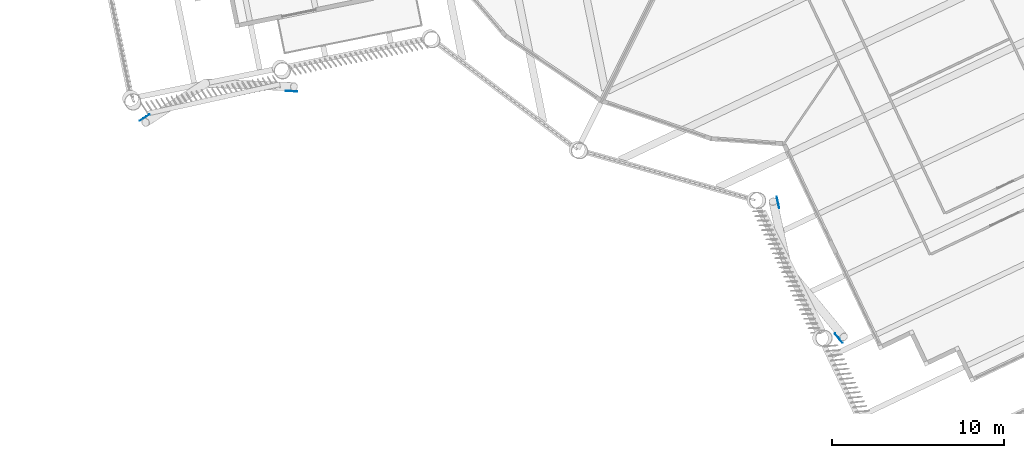
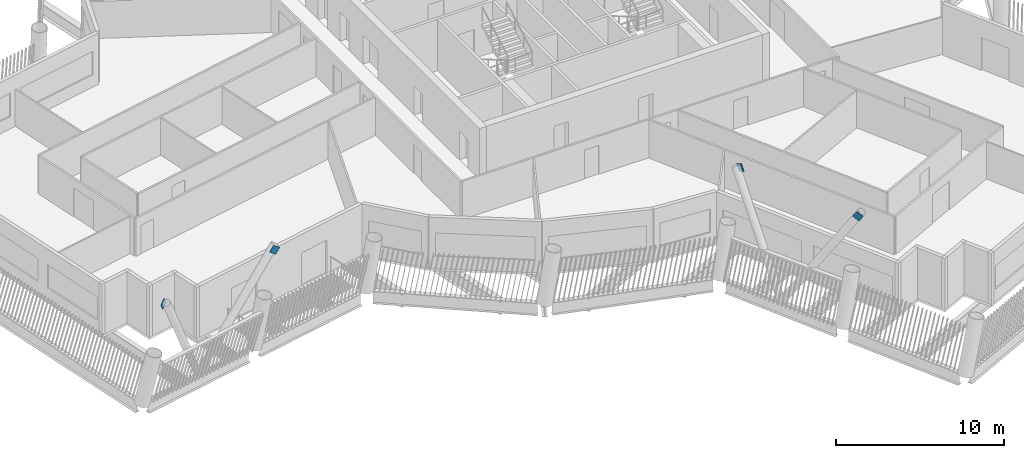
# One storey, part 10 of 21: 4 discrete accessories.
"""IFC4 building model written with IfcOpenShell, lengths in metres."""

from ifc_helpers import new_model, si_unit, direction, frame, origin, origin_2d, place, context, subcontext, project, spatial, rectangle, extrude, material, material_profile, profile_set, type_object, element, save


model = new_model("IFC4")

# Units and contexts
model_context = context("Model", 3, precision=1e-05, world=origin(), true_north=direction((0.0, 1.0)))
body_context = subcontext(model_context, "Body", "Model", "MODEL_VIEW")
ifc_project = project(units=[si_unit("LENGTHUNIT", "METRE"), si_unit("AREAUNIT", "SQUARE_METRE"), si_unit("VOLUMEUNIT", "CUBIC_METRE"), si_unit("PLANEANGLEUNIT", "RADIAN"), si_unit("MASSUNIT", "GRAM", prefix="KILO")], contexts=[model_context])

# Site, building, storey
site_placement = place(None, origin())
site = spatial("IfcSite", under=ifc_project, at=site_placement, CompositionType="ELEMENT")
building_placement = place(site_placement, origin())
building = spatial("IfcBuilding", under=site, at=building_placement, Name="Tarsis Ring Headquarters", CompositionType="ELEMENT")
storey_placement = place(building_placement, frame((0.0, 0.0, 331.39990234375)))
storey = spatial("IfcBuildingStorey", under=building, at=storey_placement, Name="L78", CompositionType="ELEMENT", Elevation=331.39990234375)

# Discrete accessories
ifc_material = material(Name="Structural steel S355", Category="steel")
ifc_material_profile = material_profile(ifc_material, rectangle(XDim=0.02490234375, YDim=0.5, at=origin_2d()), Name="PL 25x500")
ifc_profile_set = profile_set([ifc_material_profile], Name="Structural steel S355")
discrete_accessory_type = type_object("IfcDiscreteAccessoryType", Name="Gusset plate Exo brace 25", PredefinedType="BRACKET", material=ifc_profile_set)
for number, where, z_axis, x_axis, name in (
    (1, (2.33154296875, -37.070068359375, 7.800048828125), (-0.348638631083, 0.423835198572, -0.835951451561), (-0.772289675009, -0.63527053912, 0.0), "Gusset plate GP5"),
    (2, (-1.315673828125, -28.948974609375, 7.800048828125), (0.098151329505, -0.448761551319, -0.888245116268), (0.976906951715, 0.213665176599, 0.0), "Gusset plate GP5"),
    (3, (-29.5087890625, -22.5810546875, 7.800048828125), (-0.551294110846, 0.02197363595, -0.834021560075), (-0.03982665826, -0.999206603907, 0.0), "Gusset plate GP5"),
    (4, (-38.299560546875, -24.172607421875, 7.800048828125), (0.395985425532, 0.257805554477, -0.881323912558), (-0.545605666751, 0.838042037376, 0.0), "Gusset plate GP5"),
):
    element("IfcDiscreteAccessory", number, at=place(storey_placement, frame(where, z_axis=z_axis, x_axis=x_axis)), inside=storey, type_object=discrete_accessory_type, Name=name, PredefinedType="BRACKET", context=body_context, shape_type="SweptSolid", body=[
        extrude(rectangle(XDim=0.02490234375, YDim=0.5, at=origin_2d()), origin(), (0.0, 0.0, 1.0), 0.5),
    ])

save(model, "model.ifc")
